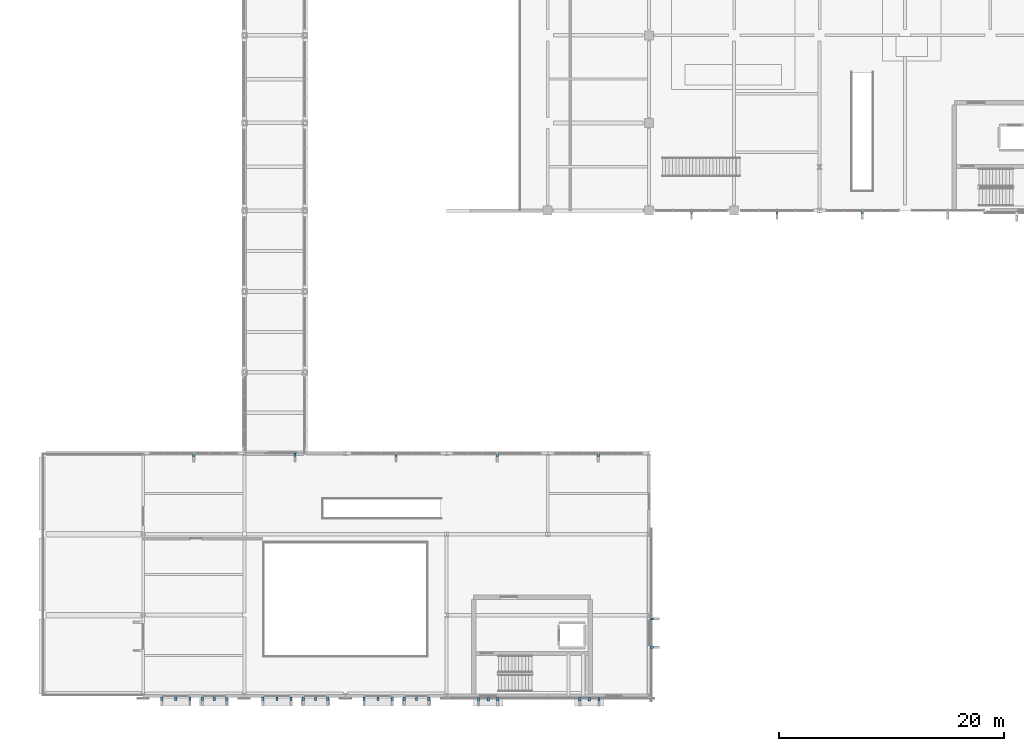
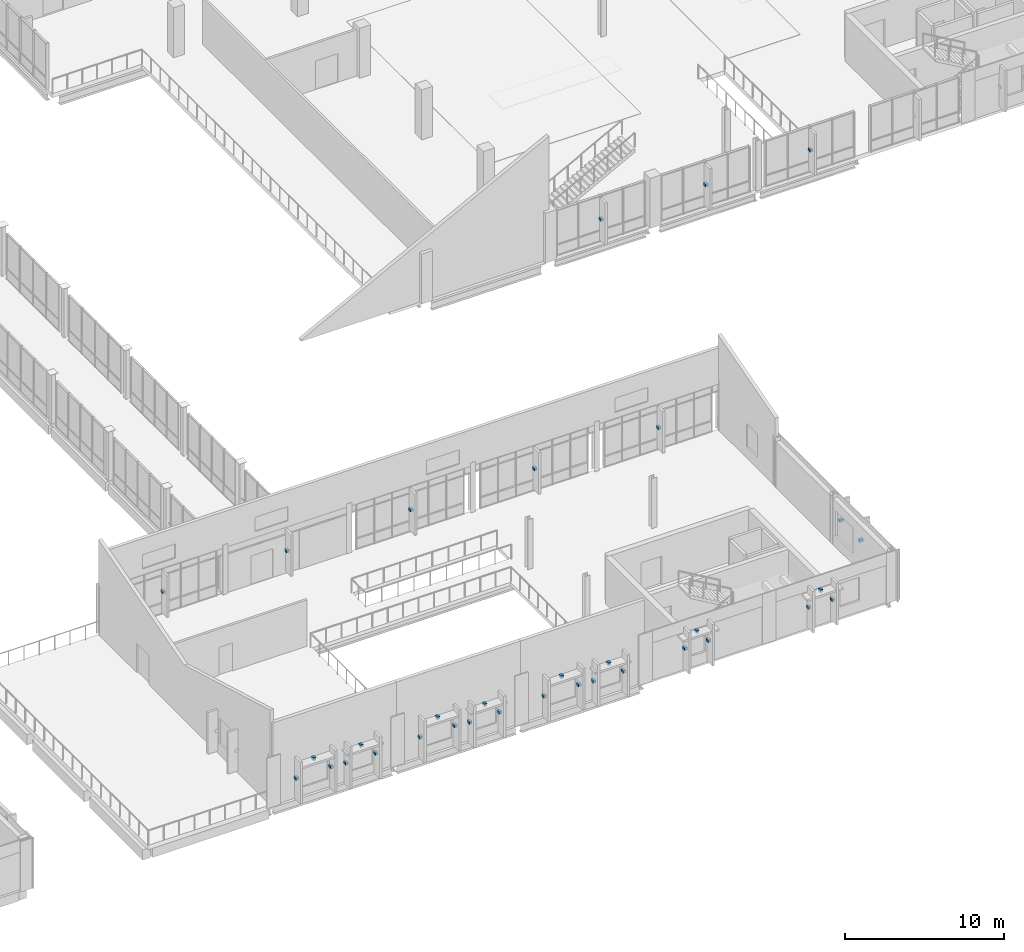
# One storey, part 67 of 85: 34 discrete accessories.
"""IFC4 building model written with IfcOpenShell, lengths in metres."""

from ifc_helpers import new_model, si_unit, direction, frame, origin, origin_2d, place, context, subcontext, project, spatial, rectangle, extrude, material, type_object, element, save


model = new_model("IFC4")

# Units and contexts
model_context = context("Model", 3, precision=1e-05, world=origin(), true_north=direction((0.0, 1.0)))
body_context = subcontext(model_context, "Body", "Model", "MODEL_VIEW")
ifc_project = project(units=[si_unit("LENGTHUNIT", "METRE"), si_unit("AREAUNIT", "SQUARE_METRE"), si_unit("VOLUMEUNIT", "CUBIC_METRE"), si_unit("PLANEANGLEUNIT", "RADIAN"), si_unit("MASSUNIT", "GRAM", prefix="KILO")], contexts=[model_context])

# Site, building, storey
site_placement = place(None, origin())
site = spatial("IfcSite", under=ifc_project, at=site_placement, CompositionType="ELEMENT")
building_placement = place(site_placement, origin())
building = spatial("IfcBuilding", under=site, at=building_placement, Name="Vervanel Yard Central Library", CompositionType="ELEMENT")
storey_placement = place(building_placement, frame((0.0, 0.0, 5.10009765625)))
storey = spatial("IfcBuildingStorey", under=building, at=storey_placement, Name="L01", CompositionType="ELEMENT", Elevation=5.10009765625)

# Discrete accessories
ifc_material = material(Name="Steel ASTM A572 Grade 50", Category="steel")
discrete_accessory_type = type_object("IfcDiscreteAccessoryType", Name="Stainless Solar Fin Fixing Bracket", PredefinedType="BRACKET", material=ifc_material)
for number, where, z_axis, x_axis, name in (
    (1, (111.800048828125, 43.070068359375, 1.6650390625), (0.0, 0.0, 1.0), (1.0, 0.0, 0.0), "L01 Solar Fin Bracket 449"),
    (2, (119.39990234375, 43.070068359375, 1.6650390625), (0.0, 0.0, 1.0), (1.0, 0.0, 0.0), "L01 Solar Fin Bracket 450"),
    (3, (127.0, 43.070068359375, 1.6650390625), (0.0, 0.0, 1.0), (1.0, 0.0, 0.0), "L01 Solar Fin Bracket 451"),
    (4, (64.639892578125, -0.25, 1.52490234375), (0.0, 0.0, 1.0), (1.0, 0.0, 0.0), "L01 Solar Fin Bracket 585"),
    (5, (67.159912109375, -0.25, 1.52490234375), (0.0, 0.0, 1.0), (1.0, 0.0, 0.0), "L01 Solar Fin Bracket 586"),
    (6, (65.89990234375, -0.25, 2.60009765625), (0.0, 0.0, 1.0), (1.0, 0.0, 0.0), "L01 Sunhood Bracket 111"),
    (7, (68.239990234375, -0.25, 1.4248046875), (0.0, 0.0, 1.0), (1.0, 0.0, 0.0), "L01 Solar Fin Bracket 587"),
    (8, (70.409912109375, -0.25, 1.4248046875), (0.0, 0.0, 1.0), (1.0, 0.0, 0.0), "L01 Solar Fin Bracket 588"),
    (9, (69.324951171875, -0.25, 2.39990234375), (0.0, 0.0, 1.0), (1.0, 0.0, 0.0), "L01 Sunhood Bracket 112"),
    (10, (73.639892578125, -0.25, 1.52490234375), (0.0, 0.0, 1.0), (1.0, 0.0, 0.0), "L01 Solar Fin Bracket 589"),
    (11, (76.159912109375, -0.25, 1.52490234375), (0.0, 0.0, 1.0), (1.0, 0.0, 0.0), "L01 Solar Fin Bracket 590"),
    (12, (74.89990234375, -0.25, 2.60009765625), (0.0, 0.0, 1.0), (1.0, 0.0, 0.0), "L01 Sunhood Bracket 113"),
    (13, (77.239990234375, -0.25, 1.4248046875), (0.0, 0.0, 1.0), (1.0, 0.0, 0.0), "L01 Solar Fin Bracket 591"),
    (14, (79.409912109375, -0.25, 1.4248046875), (0.0, 0.0, 1.0), (1.0, 0.0, 0.0), "L01 Solar Fin Bracket 592"),
    (15, (78.324951171875, -0.25, 2.39990234375), (0.0, 0.0, 1.0), (1.0, 0.0, 0.0), "L01 Sunhood Bracket 114"),
    (16, (82.639892578125, -0.25, 1.52490234375), (0.0, 0.0, 1.0), (1.0, 0.0, 0.0), "L01 Solar Fin Bracket 593"),
    (17, (85.159912109375, -0.25, 1.52490234375), (0.0, 0.0, 1.0), (1.0, 0.0, 0.0), "L01 Solar Fin Bracket 594"),
    (18, (83.89990234375, -0.25, 2.60009765625), (0.0, 0.0, 1.0), (1.0, 0.0, 0.0), "L01 Sunhood Bracket 115"),
    (19, (86.239990234375, -0.25, 1.4248046875), (0.0, 0.0, 1.0), (1.0, 0.0, 0.0), "L01 Solar Fin Bracket 595"),
    (20, (88.409912109375, -0.25, 1.4248046875), (0.0, 0.0, 1.0), (1.0, 0.0, 0.0), "L01 Solar Fin Bracket 596"),
    (21, (87.324951171875, -0.25, 2.39990234375), (0.0, 0.0, 1.0), (1.0, 0.0, 0.0), "L01 Sunhood Bracket 116"),
    (22, (92.840087890625, -0.2900390625, 1.64990234375), (0.0, 0.0, 1.0), (1.0, 0.0, 0.0), "L01 Solar Fin Bracket 597"),
    (23, (94.56005859375, -0.2900390625, 1.64990234375), (0.0, 0.0, 1.0), (1.0, 0.0, 0.0), "L01 Solar Fin Bracket 598"),
    (24, (93.699951171875, -0.2900390625, 2.64990234375), (0.0, 0.0, 1.0), (1.0, 0.0, 0.0), "L01 Sunhood Bracket 117"),
    (25, (101.840087890625, -0.2900390625, 1.64990234375), (0.0, 0.0, 1.0), (1.0, 0.0, 0.0), "L01 Solar Fin Bracket 599"),
    (26, (103.56005859375, -0.2900390625, 1.64990234375), (0.0, 0.0, 1.0), (1.0, 0.0, 0.0), "L01 Solar Fin Bracket 600"),
    (27, (102.699951171875, -0.2900390625, 2.64990234375), (0.0, 0.0, 1.0), (1.0, 0.0, 0.0), "L01 Sunhood Bracket 118"),
    (28, (67.5, 21.469970703125, 1.6650390625), (0.0, 0.0, 1.0), (1.0, 0.0, 0.0), "L01 Solar Fin Bracket 601"),
    (29, (76.5, 21.469970703125, 1.6650390625), (0.0, 0.0, 1.0), (1.0, 0.0, 0.0), "L01 Solar Fin Bracket 602"),
    (30, (85.5, 21.469970703125, 1.6650390625), (0.0, 0.0, 1.0), (1.0, 0.0, 0.0), "L01 Solar Fin Bracket 603"),
    (31, (94.5, 21.469970703125, 1.6650390625), (0.0, 0.0, 1.0), (1.0, 0.0, 0.0), "L01 Solar Fin Bracket 604"),
    (32, (103.5, 21.469970703125, 1.6650390625), (0.0, 0.0, 1.0), (1.0, 0.0, 0.0), "L01 Solar Fin Bracket 605"),
    (33, (108.2900390625, 4.340087890625, 1.72509765625), (0.0, 0.0, 1.0), (0.0, 1.0, 0.0), "L01 Solar Fin Bracket 608"),
    (34, (108.2900390625, 6.860107421875, 1.72509765625), (0.0, 0.0, 1.0), (0.0, 1.0, 0.0), "L01 Solar Fin Bracket 609"),
):
    element("IfcDiscreteAccessory", number, at=place(storey_placement, frame(where, z_axis=z_axis, x_axis=x_axis)), inside=storey, type_object=discrete_accessory_type, Name=name, PredefinedType="BRACKET", context=body_context, shape_type="SweptSolid", body=[
        extrude(rectangle(XDim=0.199951171875, YDim=0.280029296875, at=origin_2d()), origin(), (0.0, 0.0, 1.0), 0.199951171875),
    ])

save(model, "model.ifc")
